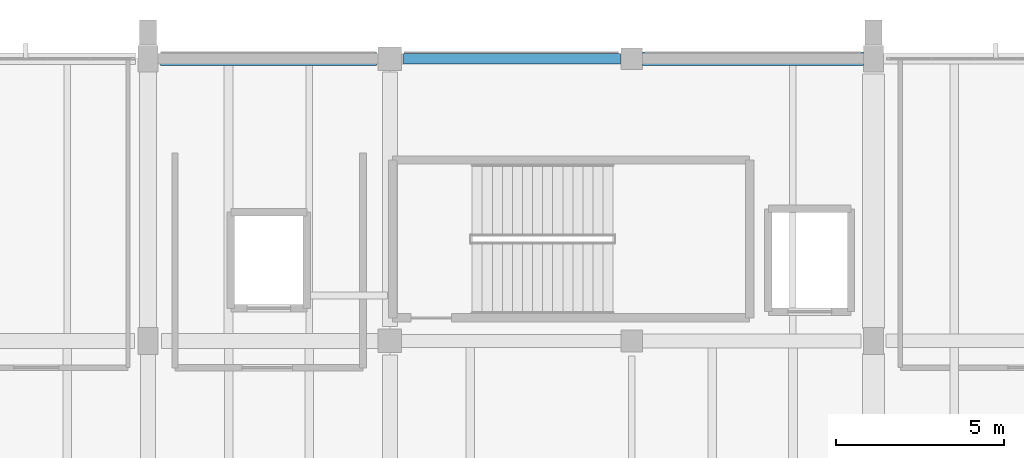
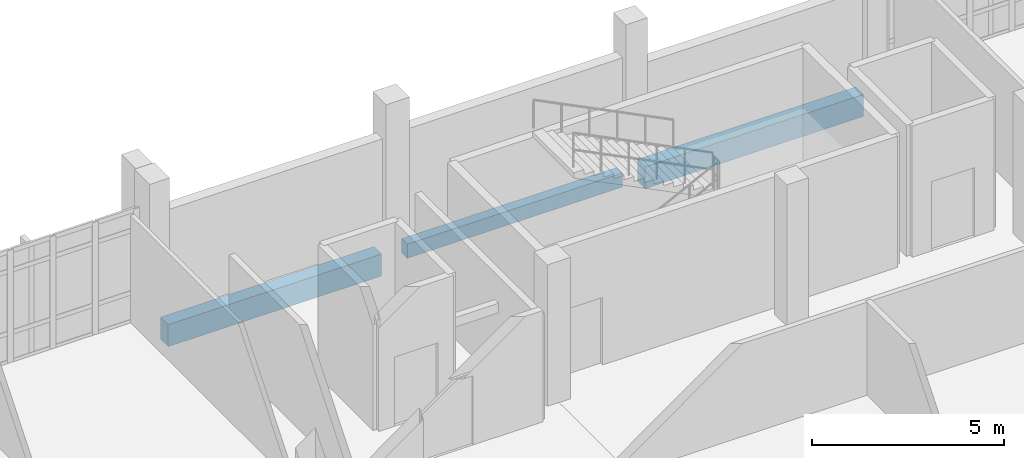
# One storey, part 47 of 87: 3 beams.
"""IFC4 building model written with IfcOpenShell, lengths in metres."""

from ifc_helpers import new_model, si_unit, direction, frame, origin, origin_2d, place, context, subcontext, project, spatial, rectangle, extrude, material, material_profile, profile_set, type_object, element, save


model = new_model("IFC4")

# Units and contexts
model_context = context("Model", 3, precision=1e-05, world=origin(), true_north=direction((0.0, 1.0)))
body_context = subcontext(model_context, "Body", "Model", "MODEL_VIEW")
ifc_project = project(units=[si_unit("LENGTHUNIT", "METRE"), si_unit("AREAUNIT", "SQUARE_METRE"), si_unit("VOLUMEUNIT", "CUBIC_METRE"), si_unit("PLANEANGLEUNIT", "RADIAN"), si_unit("MASSUNIT", "GRAM", prefix="KILO")], contexts=[model_context])

# Site, building, storey
site_placement = place(None, origin())
site = spatial("IfcSite", under=ifc_project, at=site_placement, CompositionType="ELEMENT")
building_placement = place(site_placement, origin())
building = spatial("IfcBuilding", under=site, at=building_placement, Name="Kalluvel Institute of Natural Sciences", CompositionType="ELEMENT")
storey_placement = place(building_placement, frame((0.0, 0.0, 18.89990234375)))
storey = spatial("IfcBuildingStorey", under=building, at=storey_placement, Name="L04", CompositionType="ELEMENT", Elevation=18.89990234375)

# Beams
ifc_material = material(Name="Concrete M40", Category="concrete")
ifc_material_profile_1 = material_profile(ifc_material, rectangle(XDim=0.300048828125, YDim=0.449951171875, at=origin_2d()), Name="RCB 300x450")
ifc_profile_set_1 = profile_set([ifc_material_profile_1], Name="Concrete M40")
beam_type_1 = type_object("IfcBeamType", Name="SP-RC300x450", PredefinedType="SPANDREL", material=ifc_profile_set_1)
beam_1_placement = place(storey_placement, frame((64.800048828125, 128.0, -0.544921875), z_axis=(1.0, 0.0, 0.0), x_axis=(0.0, 1.0, 0.0)))
element("IfcBeam", 1, at=beam_1_placement, inside=storey, type_object=beam_type_1, Name="L04 girder GIR-L04-EW-X644-Y1280", PredefinedType="SPANDREL", context=body_context, shape_type="SweptSolid", body=[
    extrude(rectangle(XDim=0.300048828125, YDim=0.449951171875, at=origin_2d()), origin(), (0.0, 0.0, 1.0), 6.474853515625),
])
ifc_material_profile_2 = material_profile(ifc_material, rectangle(XDim=0.39990234375, YDim=0.699951171875, at=origin_2d()), Name="RCB 400x700")
ifc_profile_set_2 = profile_set([ifc_material_profile_2], Name="Concrete M40")
beam_type_2 = type_object("IfcBeamType", Name="SP-RC400x700", PredefinedType="SPANDREL", material=ifc_profile_set_2)
beam_2_placement = place(storey_placement, frame((57.574951171875, 128.0, -0.669921875), z_axis=(1.0, 0.0, 0.0), x_axis=(0.0, 1.0, 0.0)))
element("IfcBeam", 2, at=beam_2_placement, inside=storey, type_object=beam_type_2, Name="L04 girder GIR-L04-EW-X572-Y1280", PredefinedType="SPANDREL", context=body_context, shape_type="SweptSolid", body=[
    extrude(rectangle(XDim=0.39990234375, YDim=0.699951171875, at=origin_2d()), origin(), (0.0, 0.0, 1.0), 6.425048828125),
])
beam_3_placement = place(storey_placement, frame((71.925048828125, 128.0, -0.669921875), z_axis=(1.0, 0.0, 0.0), x_axis=(0.0, 1.0, 0.0)))
element("IfcBeam", 3, at=beam_3_placement, inside=storey, type_object=beam_type_2, Name="L04 girder GIR-L04-EW-X716-Y1280", PredefinedType="SPANDREL", context=body_context, shape_type="SweptSolid", body=[
    extrude(rectangle(XDim=0.39990234375, YDim=0.699951171875, at=origin_2d()), origin(), (0.0, 0.0, 1.0), 6.574951171875),
])

save(model, "model.ifc")
